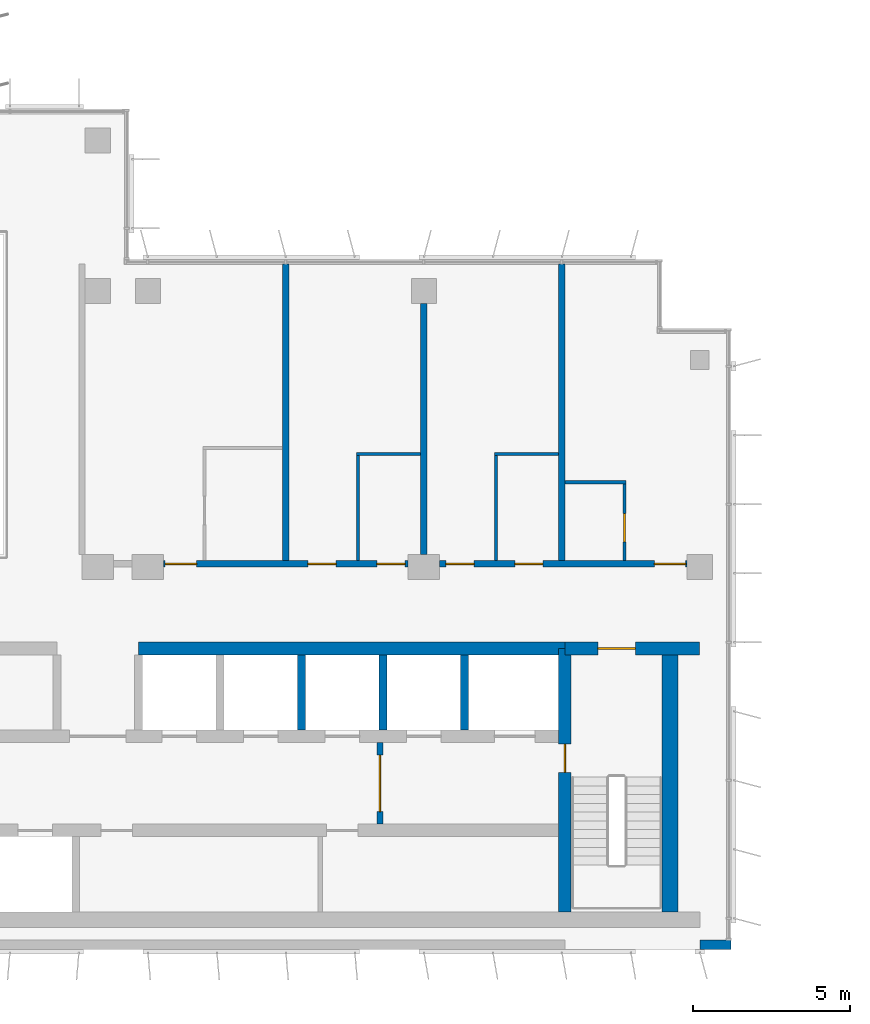
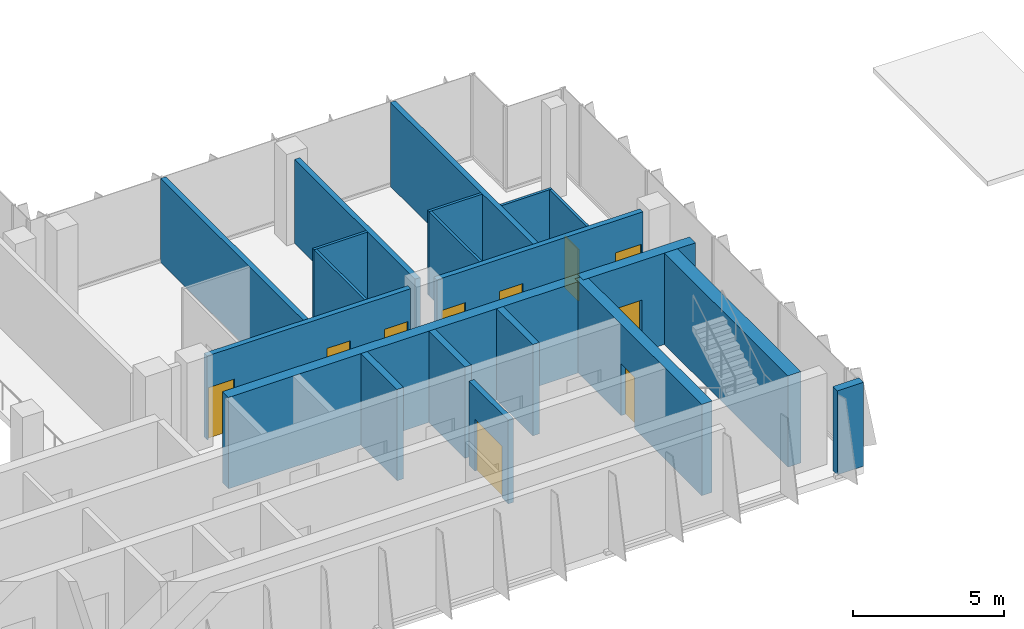
# One storey, part 11 of 17: 20 walls, 10 doors, 10 openings.
"""IFC4 building model written with IfcOpenShell, lengths in metres."""

from ifc_helpers import new_model, si_unit, direction, frame, frame_2d, origin, place, context, subcontext, project, spatial, rectangle, extrude, material, layer, layer_set, type_object, element, fill, save


model = new_model("IFC4")

# Units and contexts
model_context = context("Model", 3, precision=1e-05, world=origin(), true_north=direction((0.0, 1.0)))
body_context = subcontext(model_context, "Body", "Model", "MODEL_VIEW")
ifc_project = project(units=[si_unit("LENGTHUNIT", "METRE"), si_unit("AREAUNIT", "SQUARE_METRE"), si_unit("VOLUMEUNIT", "CUBIC_METRE"), si_unit("PLANEANGLEUNIT", "RADIAN"), si_unit("MASSUNIT", "GRAM", prefix="KILO")], contexts=[model_context])

# Site, building, storey
site_placement = place(None, origin())
site = spatial("IfcSite", under=ifc_project, at=site_placement, CompositionType="ELEMENT")
building_placement = place(site_placement, origin())
building = spatial("IfcBuilding", under=site, at=building_placement, Name="Kemantara Hotel Tower", CompositionType="ELEMENT")
storey_placement = place(building_placement, frame((0.0, 0.0, 226.5)))
storey = spatial("IfcBuildingStorey", under=building, at=storey_placement, Name="L56", CompositionType="ELEMENT", Elevation=226.5)

# Walls
ifc_material_1 = material(Name="Bronze anodised aluminium cladding on insulated steel stud wall", Category="steel")
ifc_layer_1 = layer(ifc_material_1, 0.300048828125)
ifc_layer_set_1 = layer_set([ifc_layer_1], Name="Bronze anodised aluminium cladding on insulated steel stud wall")
wall_type_1 = type_object("IfcWallType", Name="BRONZE METAL-CLAD EXTERNAL WALL 300", PredefinedType="STANDARD", material=ifc_layer_set_1)
wall_1_placement = place(storey_placement, frame((45.0, 0.14990234375, 0.0), z_axis=(0.0, 0.0, 1.0), x_axis=(1.0, 0.0, 0.0)))
element("IfcWall", 1, at=wall_1_placement, inside=storey, type_object=wall_type_1, Name="EXTERNAL WALL L56 T4-R08-3", PredefinedType="STANDARD", context=body_context, shape_type="SweptSolid", body=[
    extrude(rectangle(XDim=1.0, YDim=0.300048828125, at=frame_2d((0.5, 0.0))), origin(), (0.0, 0.0, 1.0), 3.39990234375),
])
ifc_material_2 = material(Name="Concrete fc 60 MPa", Category="concrete")
ifc_layer_2 = layer(ifc_material_2, 0.25)
ifc_layer_set_2 = layer_set([ifc_layer_2], Name="Concrete fc 60 MPa")
wall_type_2 = type_object("IfcWallType", Name="CORE WALL 250 FC60", PredefinedType="SHEAR", material=ifc_layer_set_2)
for number, where, z_axis, x_axis, name in (
    (2, (32.300048828125, 7.0, 0.0), (0.0, 0.0, 1.0), (0.0, 1.0, 0.0), "CORE WALL CW-DN32.3"),
    (3, (34.89990234375, 7.0, 0.0), (0.0, 0.0, 1.0), (0.0, 1.0, 0.0), "CORE WALL CW-DN34.9"),
    (4, (37.5, 7.0, 0.0), (0.0, 0.0, 1.0), (0.0, 1.0, 0.0), "CORE WALL CW-DN37.5"),
):
    element("IfcWall", number, at=place(storey_placement, frame(where, z_axis=z_axis, x_axis=x_axis)), inside=storey, type_object=wall_type_2, Name=name, PredefinedType="SHEAR", context=body_context, shape_type="SweptSolid", body=[
        extrude(rectangle(XDim=2.39990234375, YDim=0.25, at=frame_2d((1.199951171875, 0.0))), origin(), (0.0, 0.0, 1.0), 3.699951171875),
    ])

# Wall, opening, door
ifc_layer_3 = layer(ifc_material_2, 0.39990234375)
ifc_layer_set_3 = layer_set([ifc_layer_3], Name="Concrete fc 60 MPa")
wall_type_3 = type_object("IfcWallType", Name="CORE WALL 400 FC60", PredefinedType="SHEAR", material=ifc_layer_set_3)
wall_2_placement = place(storey_placement, frame((40.699951171875, 9.60009765625, 0.0), z_axis=(0.0, 0.0, 1.0), x_axis=(1.0, 0.0, 0.0)))
wall_2 = element("IfcWall", 5, at=wall_2_placement, inside=storey, type_object=wall_type_3, Name="CORE WALL CW-N2", PredefinedType="SHEAR", context=body_context, shape_type="SweptSolid", body=[
    extrude(rectangle(XDim=4.300048828125, YDim=0.39990234375, at=frame_2d((2.14990234375, 0.0))), origin(), (0.0, 0.0, 1.0), 3.699951171875),
])
opening_1_placement = place(wall_2_placement, frame((1.050048828125, 0.0, 0.0)))
opening_1 = element("IfcOpeningElement", 6, at=opening_1_placement, cuts=wall_2, Name="Opening C35-ST2-C", PredefinedType="OPENING", context=body_context, shape_type="SweptSolid", body=[
    extrude(rectangle(XDim=1.199951171875, YDim=2.10009765625, at=frame_2d((0.60009765625, 1.050048828125))), frame((0.0, 0.2099609375, 0.0), z_axis=(0.0, -1.0, 0.0), x_axis=(1.0, 0.0, 0.0)), (0.0, 0.0, 1.0), 0.419921875),
])
ifc_material_3 = material(Name="Steel fire door", Category="steel")
door_type_1 = type_object("IfcDoorType", Name="Fire door FD90 1200 x 2100", OperationType="NOTDEFINED", PredefinedType="DOOR", material=ifc_material_3)
door_1_placement = place(opening_1_placement, frame((1.199951171875, 0.0, 0.0), z_axis=(0.0, 0.0, 1.0), x_axis=(-1.0, 0.0, 0.0)))
door_1 = element("IfcDoor", 7, at=door_1_placement, inside=storey, type_object=door_type_1, Name="Stair ST2 door to corridor", OperationType="SINGLE_SWING_RIGHT", OverallHeight=2.10009765625, OverallWidth=1.199951171875, PredefinedType="DOOR", context=body_context, shape_type="SweptSolid", body=[
    extrude(rectangle(XDim=1.199951171875, YDim=2.10009765625, at=frame_2d((0.60009765625, 1.050048828125))), frame((0.0, 0.02490234375, 0.0), z_axis=(0.0, -1.0, 0.0), x_axis=(1.0, 0.0, 0.0)), (0.0, 0.0, 1.0), 0.050048828125),
])
fill(opening_1, door_1)

# Wall
wall_3_placement = place(storey_placement, frame((27.10009765625, 9.60009765625, 0.0), z_axis=(0.0, 0.0, 1.0), x_axis=(1.0, 0.0, 0.0)))
element("IfcWall", 8, at=wall_3_placement, inside=storey, type_object=wall_type_3, Name="CORE WALL CW-NN2", PredefinedType="SHEAR", context=body_context, shape_type="SweptSolid", body=[
    extrude(rectangle(XDim=13.599853515625, YDim=0.39990234375, at=frame_2d((6.7998046875, 0.0))), origin(), (0.0, 0.0, 1.0), 3.699951171875),
])

# Wall, opening, door
wall_4_placement = place(storey_placement, frame((40.699951171875, 1.199951171875, 0.0), z_axis=(0.0, 0.0, 1.0), x_axis=(0.0, 1.0, 0.0)))
wall_4 = element("IfcWall", 9, at=wall_4_placement, inside=storey, type_object=wall_type_3, Name="CORE WALL CW-ST2W", PredefinedType="SHEAR", context=body_context, shape_type="SweptSolid", body=[
    extrude(rectangle(XDim=8.400146484375, YDim=0.39990234375, at=frame_2d((4.2001953125, 0.0))), origin(), (0.0, 0.0, 1.0), 3.699951171875),
])
opening_2_placement = place(wall_4_placement, frame((4.449951171875, 0.0, 0.0)))
opening_2 = element("IfcOpeningElement", 10, at=opening_2_placement, cuts=wall_4, Name="Opening C35-ST2-F", PredefinedType="OPENING", context=body_context, shape_type="SweptSolid", body=[
    extrude(rectangle(XDim=0.89990234375, YDim=2.10009765625, at=frame_2d((0.449951171875, 1.050048828125))), frame((0.0, 0.2099609375, 0.0), z_axis=(0.0, -1.0, 0.0), x_axis=(1.0, 0.0, 0.0)), (0.0, 0.0, 1.0), 0.419921875),
])
door_type_2 = type_object("IfcDoorType", Name="Fire door FD90 900 x 2100", OperationType="NOTDEFINED", PredefinedType="DOOR", material=ifc_material_3)
door_2_placement = place(opening_2_placement, frame((0.89990234375, 0.0, 0.0), z_axis=(0.0, 0.0, 1.0), x_axis=(-1.0, 0.0, 0.0)))
door_2 = element("IfcDoor", 11, at=door_2_placement, inside=storey, type_object=door_type_2, Name="Stair ST2 door to firefighting lobby", OperationType="SINGLE_SWING_LEFT", OverallHeight=2.10009765625, OverallWidth=0.89990234375, PredefinedType="DOOR", context=body_context, shape_type="SweptSolid", body=[
    extrude(rectangle(XDim=0.89990234375, YDim=2.10009765625, at=frame_2d((0.449951171875, 1.050048828125))), frame((0.0, 0.02490234375, 0.0), z_axis=(0.0, -1.0, 0.0), x_axis=(1.0, 0.0, 0.0)), (0.0, 0.0, 1.0), 0.050048828125),
])
fill(opening_2, door_2)

# Wall
ifc_layer_4 = layer(ifc_material_2, 0.5)
ifc_layer_set_4 = layer_set([ifc_layer_4], Name="Concrete fc 60 MPa")
wall_type_4 = type_object("IfcWallType", Name="CORE WALL 500 FC60", PredefinedType="SHEAR", material=ifc_layer_set_4)
wall_5_placement = place(storey_placement, frame((44.050048828125, 1.199951171875, 0.0), z_axis=(0.0, 0.0, 1.0), x_axis=(0.0, 1.0, 0.0)))
element("IfcWall", 12, at=wall_5_placement, inside=storey, type_object=wall_type_4, Name="CORE WALL CW-E", PredefinedType="SHEAR", context=body_context, shape_type="SweptSolid", body=[
    extrude(rectangle(XDim=8.60009765625, YDim=0.5, at=frame_2d((4.300048828125, 0.0))), origin(), (0.0, 0.0, 1.0), 3.699951171875),
])

# Wall, openings, doors
ifc_material_4 = material(Name="Gypsum board partition, steel studs and mineral wool, 200 mm", Category="steel")
ifc_layer_5 = layer(ifc_material_4, 0.199951171875)
ifc_layer_set_5 = layer_set([ifc_layer_5], Name="Gypsum board partition, steel studs and mineral wool, 200 mm")
wall_type_5 = type_object("IfcWallType", Name="CORRIDOR WALL 200", PredefinedType="PARTITIONING", material=ifc_layer_set_5)
wall_6_placement = place(storey_placement, frame((27.900146484375, 12.300048828125, 0.0), z_axis=(0.0, 0.0, 1.0), x_axis=(1.0, 0.0, 0.0)))
wall_6 = element("IfcWall", 13, at=wall_6_placement, inside=storey, type_object=wall_type_5, Name="CORRIDOR WALL 200 002", PredefinedType="PARTITIONING", context=body_context, shape_type="SweptSolid", body=[
    extrude(rectangle(XDim=7.7998046875, YDim=0.199951171875, at=frame_2d((3.89990234375, 0.0))), origin(), (0.0, 0.0, 1.0), 3.39990234375),
])
opening_3_placement = place(wall_6_placement, frame((0.0498046875, 0.0, 0.0)))
opening_3 = element("IfcOpeningElement", 14, at=opening_3_placement, cuts=wall_6, Name="Opening F27-001", PredefinedType="OPENING", context=body_context, shape_type="SweptSolid", body=[
    extrude(rectangle(XDim=1.0, YDim=2.10009765625, at=frame_2d((0.5, 1.050048828125))), frame((0.0, 0.10986328125, 0.0), z_axis=(0.0, -1.0, 0.0), x_axis=(1.0, 0.0, 0.0)), (0.0, 0.0, 1.0), 0.219970703125),
])
opening_4_placement = place(wall_6_placement, frame((4.599853515625, 0.0, 0.0)))
opening_4 = element("IfcOpeningElement", 15, at=opening_4_placement, cuts=wall_6, Name="Opening F27-003", PredefinedType="OPENING", context=body_context, shape_type="SweptSolid", body=[
    extrude(rectangle(XDim=0.89990234375, YDim=2.10009765625, at=frame_2d((0.449951171875, 1.050048828125))), frame((0.0, 0.10986328125, 0.0), z_axis=(0.0, -1.0, 0.0), x_axis=(1.0, 0.0, 0.0)), (0.0, 0.0, 1.0), 0.219970703125),
])
opening_5_placement = place(wall_6_placement, frame((6.7998046875, 0.0, 0.0)))
opening_5 = element("IfcOpeningElement", 16, at=opening_5_placement, cuts=wall_6, Name="Opening F27-004", PredefinedType="OPENING", context=body_context, shape_type="SweptSolid", body=[
    extrude(rectangle(XDim=0.89990234375, YDim=2.10009765625, at=frame_2d((0.449951171875, 1.050048828125))), frame((0.0, 0.10986328125, 0.0), z_axis=(0.0, -1.0, 0.0), x_axis=(1.0, 0.0, 0.0)), (0.0, 0.0, 1.0), 0.219970703125),
])
ifc_material_5 = material(Name="Hardwood veneer door leaf with steel frame", Category="steel")
door_type_3 = type_object("IfcDoorType", Name="GUEST ROOM DOOR 1000 X 2100 FD30S", OperationType="NOTDEFINED", PredefinedType="DOOR", material=ifc_material_5)
door_3_placement = place(opening_3_placement, origin())
door_3 = element("IfcDoor", 17, at=door_3_placement, inside=storey, type_object=door_type_3, Name="GUEST ROOM DOOR F27-001", OperationType="SINGLE_SWING_LEFT", OverallHeight=2.10009765625, OverallWidth=1.0, PredefinedType="DOOR", context=body_context, shape_type="SweptSolid", body=[
    extrude(rectangle(XDim=1.0, YDim=2.10009765625, at=frame_2d((0.5, 1.050048828125))), frame((0.0, 0.02490234375, 0.0), z_axis=(0.0, -1.0, 0.0), x_axis=(1.0, 0.0, 0.0)), (0.0, 0.0, 1.0), 0.050048828125),
])
fill(opening_3, door_3)
ifc_material_6 = material(Name="Steel door leaf with steel frame", Category="steel")
door_type_4 = type_object("IfcDoorType", Name="SERVICE ROOM DOOR 900 X 2100 FD60", OperationType="NOTDEFINED", PredefinedType="DOOR", material=ifc_material_6)
door_4_placement = place(opening_4_placement, origin())
door_4 = element("IfcDoor", 18, at=door_4_placement, inside=storey, type_object=door_type_4, Name="SERVICE ROOM DOOR F27-003", OperationType="SINGLE_SWING_LEFT", OverallHeight=2.10009765625, OverallWidth=0.89990234375, PredefinedType="DOOR", context=body_context, shape_type="SweptSolid", body=[
    extrude(rectangle(XDim=0.89990234375, YDim=2.10009765625, at=frame_2d((0.449951171875, 1.050048828125))), frame((0.0, 0.02490234375, 0.0), z_axis=(0.0, -1.0, 0.0), x_axis=(1.0, 0.0, 0.0)), (0.0, 0.0, 1.0), 0.050048828125),
])
fill(opening_4, door_4)
door_5_placement = place(opening_5_placement, origin())
door_5 = element("IfcDoor", 19, at=door_5_placement, inside=storey, type_object=door_type_4, Name="SERVICE ROOM DOOR F27-004", OperationType="SINGLE_SWING_RIGHT", OverallHeight=2.10009765625, OverallWidth=0.89990234375, PredefinedType="DOOR", context=body_context, shape_type="SweptSolid", body=[
    extrude(rectangle(XDim=0.89990234375, YDim=2.10009765625, at=frame_2d((0.449951171875, 1.050048828125))), frame((0.0, 0.02490234375, 0.0), z_axis=(0.0, -1.0, 0.0), x_axis=(1.0, 0.0, 0.0)), (0.0, 0.0, 1.0), 0.050048828125),
])
fill(opening_5, door_5)

wall_7_placement = place(storey_placement, frame((36.7001953125, 12.300048828125, 0.0), z_axis=(0.0, 0.0, 1.0), x_axis=(1.0, 0.0, 0.0)))
wall_7 = element("IfcWall", 20, at=wall_7_placement, inside=storey, type_object=wall_type_5, Name="CORRIDOR WALL 200 003", PredefinedType="PARTITIONING", context=body_context, shape_type="SweptSolid", body=[
    extrude(rectangle(XDim=7.899658203125, YDim=0.199951171875, at=frame_2d((3.94970703125, 0.0))), origin(), (0.0, 0.0, 1.0), 3.39990234375),
])
opening_6_placement = place(wall_7_placement, frame((0.199951171875, 0.0, 0.0)))
opening_6 = element("IfcOpeningElement", 21, at=opening_6_placement, cuts=wall_7, Name="Opening F27-005", PredefinedType="OPENING", context=body_context, shape_type="SweptSolid", body=[
    extrude(rectangle(XDim=0.89990234375, YDim=2.10009765625, at=frame_2d((0.449951171875, 1.050048828125))), frame((0.0, 0.10986328125, 0.0), z_axis=(0.0, -1.0, 0.0), x_axis=(1.0, 0.0, 0.0)), (0.0, 0.0, 1.0), 0.219970703125),
])
opening_7_placement = place(wall_7_placement, frame((2.39990234375, 0.0, 0.0)))
opening_7 = element("IfcOpeningElement", 22, at=opening_7_placement, cuts=wall_7, Name="Opening F27-006", PredefinedType="OPENING", context=body_context, shape_type="SweptSolid", body=[
    extrude(rectangle(XDim=0.89990234375, YDim=2.10009765625, at=frame_2d((0.449951171875, 1.050048828125))), frame((0.0, 0.10986328125, 0.0), z_axis=(0.0, -1.0, 0.0), x_axis=(1.0, 0.0, 0.0)), (0.0, 0.0, 1.0), 0.219970703125),
])
opening_8_placement = place(wall_7_placement, frame((6.849853515625, 0.0, 0.0)))
opening_8 = element("IfcOpeningElement", 23, at=opening_8_placement, cuts=wall_7, Name="Opening F27-007", PredefinedType="OPENING", context=body_context, shape_type="SweptSolid", body=[
    extrude(rectangle(XDim=1.0, YDim=2.10009765625, at=frame_2d((0.5, 1.050048828125))), frame((0.0, 0.10986328125, 0.0), z_axis=(0.0, -1.0, 0.0), x_axis=(1.0, 0.0, 0.0)), (0.0, 0.0, 1.0), 0.219970703125),
])
door_6_placement = place(opening_8_placement, origin())
door_6 = element("IfcDoor", 24, at=door_6_placement, inside=storey, type_object=door_type_3, Name="GUEST ROOM DOOR F27-007", OperationType="SINGLE_SWING_RIGHT", OverallHeight=2.10009765625, OverallWidth=1.0, PredefinedType="DOOR", context=body_context, shape_type="SweptSolid", body=[
    extrude(rectangle(XDim=1.0, YDim=2.10009765625, at=frame_2d((0.5, 1.050048828125))), frame((0.0, 0.02490234375, 0.0), z_axis=(0.0, -1.0, 0.0), x_axis=(1.0, 0.0, 0.0)), (0.0, 0.0, 1.0), 0.050048828125),
])
fill(opening_8, door_6)
door_7_placement = place(opening_6_placement, origin())
door_7 = element("IfcDoor", 25, at=door_7_placement, inside=storey, type_object=door_type_4, Name="SERVICE ROOM DOOR F27-005", OperationType="SINGLE_SWING_LEFT", OverallHeight=2.10009765625, OverallWidth=0.89990234375, PredefinedType="DOOR", context=body_context, shape_type="SweptSolid", body=[
    extrude(rectangle(XDim=0.89990234375, YDim=2.10009765625, at=frame_2d((0.449951171875, 1.050048828125))), frame((0.0, 0.02490234375, 0.0), z_axis=(0.0, -1.0, 0.0), x_axis=(1.0, 0.0, 0.0)), (0.0, 0.0, 1.0), 0.050048828125),
])
fill(opening_6, door_7)
door_8_placement = place(opening_7_placement, origin())
door_8 = element("IfcDoor", 26, at=door_8_placement, inside=storey, type_object=door_type_4, Name="SERVICE ROOM DOOR F27-006", OperationType="SINGLE_SWING_RIGHT", OverallHeight=2.10009765625, OverallWidth=0.89990234375, PredefinedType="DOOR", context=body_context, shape_type="SweptSolid", body=[
    extrude(rectangle(XDim=0.89990234375, YDim=2.10009765625, at=frame_2d((0.449951171875, 1.050048828125))), frame((0.0, 0.02490234375, 0.0), z_axis=(0.0, -1.0, 0.0), x_axis=(1.0, 0.0, 0.0)), (0.0, 0.0, 1.0), 0.050048828125),
])
fill(opening_7, door_8)

# Walls
ifc_layer_6 = layer(ifc_material_4, 0.199951171875)
ifc_layer_set_6 = layer_set([ifc_layer_6], Name="Gypsum board partition, steel studs and mineral wool, 200 mm")
wall_type_6 = type_object("IfcWallType", Name="GUEST ROOM PARTY WALL 200", PredefinedType="PARTITIONING", material=ifc_layer_set_6)
wall_8_placement = place(storey_placement, frame((31.800048828125, 12.39990234375, 0.0), z_axis=(0.0, 0.0, 1.0), x_axis=(0.0, 1.0, 0.0)))
element("IfcWall", 27, at=wall_8_placement, inside=storey, type_object=wall_type_6, Name="GUEST ROOM PARTY WALL 200 005", PredefinedType="PARTITIONING", context=body_context, shape_type="SweptSolid", body=[
    extrude(rectangle(XDim=9.47021484375, YDim=0.199951171875, at=frame_2d((4.735107421875, 0.0))), origin(), (0.0, 0.0, 1.0), 3.39990234375),
])
wall_9_placement = place(storey_placement, frame((36.199951171875, 12.60009765625, 0.0), z_axis=(0.0, 0.0, 1.0), x_axis=(0.0, 1.0, 0.0)))
element("IfcWall", 28, at=wall_9_placement, inside=storey, type_object=wall_type_6, Name="GUEST ROOM PARTY WALL 200 006", PredefinedType="PARTITIONING", context=body_context, shape_type="SweptSolid", body=[
    extrude(rectangle(XDim=7.999755859375, YDim=0.199951171875, at=frame_2d((4.0, 0.0))), origin(), (0.0, 0.0, 1.0), 3.39990234375),
])
wall_10_placement = place(storey_placement, frame((40.60009765625, 12.39990234375, 0.0), z_axis=(0.0, 0.0, 1.0), x_axis=(0.0, 1.0, 0.0)))
element("IfcWall", 29, at=wall_10_placement, inside=storey, type_object=wall_type_6, Name="GUEST ROOM PARTY WALL 200 007", PredefinedType="PARTITIONING", context=body_context, shape_type="SweptSolid", body=[
    extrude(rectangle(XDim=9.47021484375, YDim=0.199951171875, at=frame_2d((4.735107421875, 0.0))), origin(), (0.0, 0.0, 1.0), 3.39990234375),
])

# Wall, opening, door
ifc_material_7 = material(Name="Gypsum board shaft wall")
ifc_layer_7 = layer(ifc_material_7, 0.199951171875)
ifc_layer_set_7 = layer_set([ifc_layer_7], Name="Gypsum board shaft wall")
wall_type_7 = type_object("IfcWallType", Name="Gypsum board shaft wall 200 mm", PredefinedType="PARTITIONING", material=ifc_layer_set_7)
wall_11_placement = place(storey_placement, frame((34.800048828125, 4.0, 0.0), z_axis=(0.0, 0.0, 1.0), x_axis=(0.0, 1.0, 0.0)))
wall_11 = element("IfcWall", 30, at=wall_11_placement, inside=storey, type_object=wall_type_7, Name="Firefighting lobby partition east", PredefinedType="PARTITIONING", context=body_context, shape_type="SweptSolid", body=[
    extrude(rectangle(XDim=2.60009765625, YDim=0.199951171875, at=frame_2d((1.300048828125, 0.0))), origin(), (0.0, 0.0, 1.0), 3.39990234375),
])
opening_9_placement = place(wall_11_placement, frame((0.39990234375, 0.0, 0.0)))
opening_9 = element("IfcOpeningElement", 31, at=opening_9_placement, cuts=wall_11, Name="Opening C35-FFE", PredefinedType="OPENING", context=body_context, shape_type="SweptSolid", body=[
    extrude(rectangle(XDim=1.800048828125, YDim=2.10009765625, at=frame_2d((0.89990234375, 1.050048828125))), frame((0.0, 0.10986328125, 0.0), z_axis=(0.0, -1.0, 0.0), x_axis=(1.0, 0.0, 0.0)), (0.0, 0.0, 1.0), 0.219970703125),
])
door_type_5 = type_object("IfcDoorType", Name="Fire door pair FD60 1800 x 2100", OperationType="DOUBLE_DOOR_SINGLE_SWING", PredefinedType="DOOR", material=ifc_material_3)
door_9_placement = place(opening_9_placement, frame((1.800048828125, 0.0, 0.0), z_axis=(0.0, 0.0, 1.0), x_axis=(-1.0, 0.0, 0.0)))
door_9 = element("IfcDoor", 32, at=door_9_placement, inside=storey, type_object=door_type_5, Name="Firefighting lobby door east", OperationType="DOUBLE_DOOR_SINGLE_SWING", OverallHeight=2.10009765625, OverallWidth=1.800048828125, PredefinedType="DOOR", context=body_context, shape_type="SweptSolid", body=[
    extrude(rectangle(XDim=1.800048828125, YDim=2.10009765625, at=frame_2d((0.89990234375, 1.050048828125))), frame((0.0, 0.02490234375, 0.0), z_axis=(0.0, -1.0, 0.0), x_axis=(1.0, 0.0, 0.0)), (0.0, 0.0, 1.0), 0.050048828125),
])
fill(opening_9, door_9)

# Walls
ifc_material_8 = material(Name="Gypsum board partition on steel studs, 100 mm", Category="steel")
ifc_layer_8 = layer(ifc_material_8, 0.10009765625)
ifc_layer_set_8 = layer_set([ifc_layer_8], Name="Gypsum board partition on steel studs, 100 mm")
wall_type_8 = type_object("IfcWallType", Name="ROOM PARTITION 100", PredefinedType="PARTITIONING", material=ifc_layer_set_8)
for number, where, z_axis, x_axis, name in (
    (33, (34.050048828125, 15.800048828125, 0.0), (0.0, 0.0, 1.0), (1.0, 0.0, 0.0), "ROOM PARTITION 100 030"),
    (34, (38.449951171875, 15.800048828125, 0.0), (0.0, 0.0, 1.0), (1.0, 0.0, 0.0), "ROOM PARTITION 100 031"),
):
    element("IfcWall", number, at=place(storey_placement, frame(where, z_axis=z_axis, x_axis=x_axis)), inside=storey, type_object=wall_type_8, Name=name, PredefinedType="PARTITIONING", context=body_context, shape_type="SweptSolid", body=[
        extrude(rectangle(XDim=2.050048828125, YDim=0.10009765625, at=frame_2d((1.02490234375, 0.0))), origin(), (0.0, 0.0, 1.0), 3.39990234375),
    ])
for number, where, z_axis, x_axis, name in (
    (35, (34.10009765625, 12.39990234375, 0.0), (0.0, 0.0, 1.0), (0.0, 1.0, 0.0), "ROOM PARTITION 100 032"),
    (36, (38.5, 12.39990234375, 0.0), (0.0, 0.0, 1.0), (0.0, 1.0, 0.0), "ROOM PARTITION 100 033"),
):
    element("IfcWall", number, at=place(storey_placement, frame(where, z_axis=z_axis, x_axis=x_axis)), inside=storey, type_object=wall_type_8, Name=name, PredefinedType="PARTITIONING", context=body_context, shape_type="SweptSolid", body=[
        extrude(rectangle(XDim=3.35009765625, YDim=0.10009765625, at=frame_2d((1.675048828125, 0.0))), origin(), (0.0, 0.0, 1.0), 3.39990234375),
    ])
wall_12_placement = place(storey_placement, frame((40.699951171875, 14.89990234375, 0.0), z_axis=(0.0, 0.0, 1.0), x_axis=(1.0, 0.0, 0.0)))
element("IfcWall", 37, at=wall_12_placement, inside=storey, type_object=wall_type_8, Name="ROOM PARTITION 100 034", PredefinedType="PARTITIONING", context=body_context, shape_type="SweptSolid", body=[
    extrude(rectangle(XDim=1.949951171875, YDim=0.10009765625, at=frame_2d((0.97509765625, 0.0))), origin(), (0.0, 0.0, 1.0), 3.39990234375),
])

# Wall, opening, door
wall_13_placement = place(storey_placement, frame((42.60009765625, 12.39990234375, 0.0), z_axis=(0.0, 0.0, 1.0), x_axis=(0.0, 1.0, 0.0)))
wall_13 = element("IfcWall", 38, at=wall_13_placement, inside=storey, type_object=wall_type_8, Name="ROOM PARTITION 100 035", PredefinedType="PARTITIONING", context=body_context, shape_type="SweptSolid", body=[
    extrude(rectangle(XDim=2.4501953125, YDim=0.10009765625, at=frame_2d((1.22509765625, 0.0))), origin(), (0.0, 0.0, 1.0), 3.39990234375),
])
opening_10_placement = place(wall_13_placement, frame((0.60009765625, 0.0, 0.0)))
opening_10 = element("IfcOpeningElement", 39, at=opening_10_placement, cuts=wall_13, Name="Opening F27-008", PredefinedType="OPENING", context=body_context, shape_type="SweptSolid", body=[
    extrude(rectangle(XDim=0.89990234375, YDim=2.10009765625, at=frame_2d((0.449951171875, 1.050048828125))), frame((0.0, 0.06005859375, 0.0), z_axis=(0.0, -1.0, 0.0), x_axis=(1.0, 0.0, 0.0)), (0.0, 0.0, 1.0), 0.1201171875),
])
door_type_6 = type_object("IfcDoorType", Name="BATHROOM DOOR 900 X 2100", OperationType="NOTDEFINED", PredefinedType="DOOR", material=ifc_material_5)
door_10_placement = place(opening_10_placement, origin())
door_10 = element("IfcDoor", 40, at=door_10_placement, inside=storey, type_object=door_type_6, Name="BATHROOM DOOR F27-008", OperationType="SINGLE_SWING_LEFT", OverallHeight=2.10009765625, OverallWidth=0.89990234375, PredefinedType="DOOR", context=body_context, shape_type="SweptSolid", body=[
    extrude(rectangle(XDim=0.89990234375, YDim=2.10009765625, at=frame_2d((0.449951171875, 1.050048828125))), frame((0.0, 0.02490234375, 0.0), z_axis=(0.0, -1.0, 0.0), x_axis=(1.0, 0.0, 0.0)), (0.0, 0.0, 1.0), 0.050048828125),
])
fill(opening_10, door_10)

save(model, "model.ifc")
